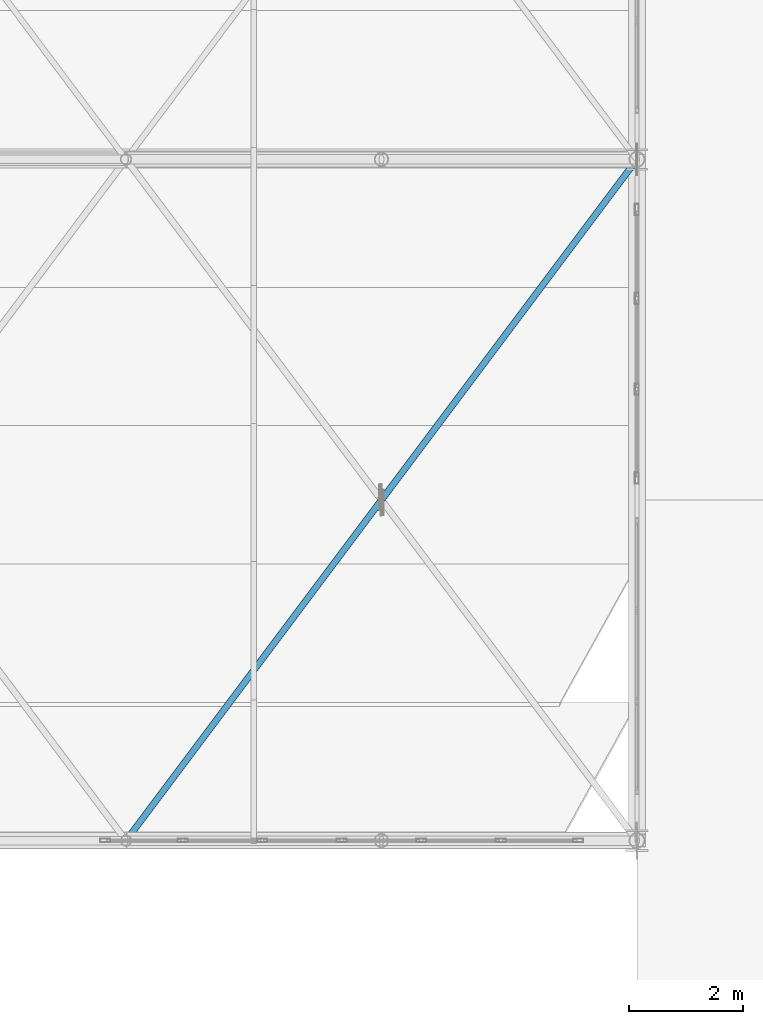
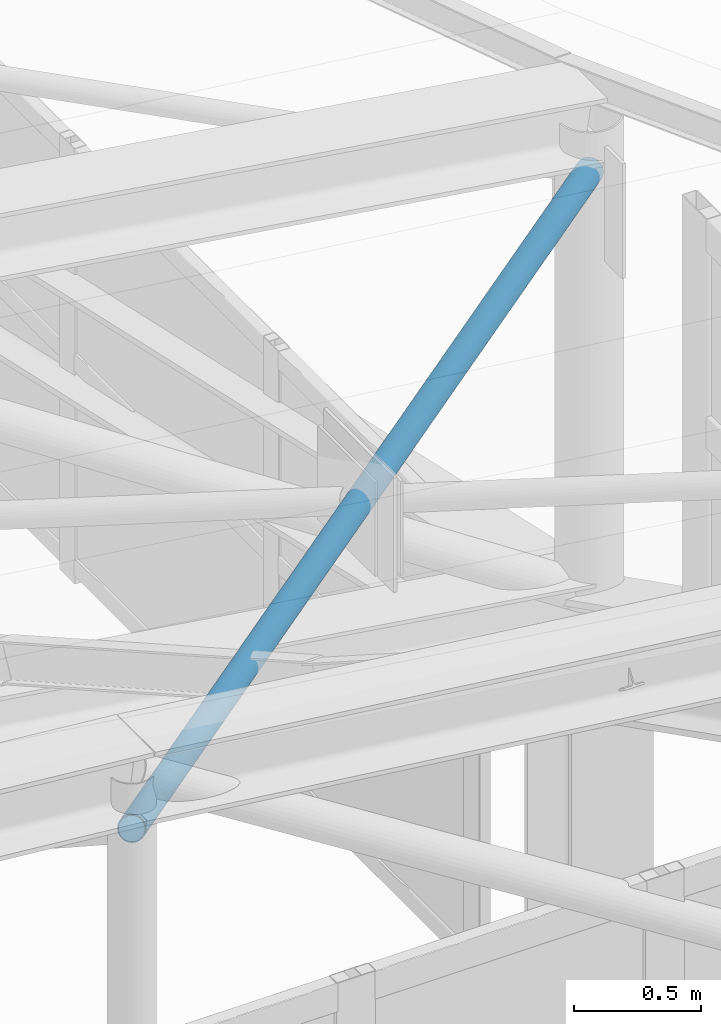
# One storey, part 72 of 262: 1 member.
"""IFC4 building model written with IfcOpenShell, lengths in metres."""

from ifc_helpers import new_model, si_unit, derived_unit, direction, frame, origin, origin_2d, place, context, subcontext, project, spatial, hollow_circle, extrude, material, material_profile, profile_set, type_object, element, save


model = new_model("IFC4")

# Units and contexts
model_context = context("Model", 3, precision=1e-05, world=origin(), true_north=direction((0.0, 1.0)))
body_context = subcontext(model_context, "Body", "Model", "MODEL_VIEW")
ifc_project = project(units=[si_unit("LENGTHUNIT", "METRE"), si_unit("AREAUNIT", "SQUARE_METRE"), si_unit("VOLUMEUNIT", "CUBIC_METRE"), si_unit("PLANEANGLEUNIT", "RADIAN"), si_unit("MASSUNIT", "GRAM", prefix="KILO"), derived_unit("THERMALTRANSMITTANCEUNIT", [(si_unit("POWERUNIT", "WATT"), 1), (si_unit("LENGTHUNIT", "METRE"), -2), (si_unit("THERMODYNAMICTEMPERATUREUNIT", "KELVIN"), -1)])], contexts=[model_context])

# Site, building, storey
site_placement = place(None, origin())
site = spatial("IfcSite", under=ifc_project, at=site_placement, CompositionType="ELEMENT")
building_placement = place(site_placement, origin())
building = spatial("IfcBuilding", under=site, at=building_placement, Name="Almenara Railside Exhibition Hall", CompositionType="ELEMENT")
storey_placement = place(building_placement, frame((0.0, 0.0, 21.699951171875)))
storey = spatial("IfcBuildingStorey", under=building, at=storey_placement, Name="RF", CompositionType="ELEMENT", Elevation=21.699951171875)

# Member
ifc_material = material(Name="Structural steel S355JR", Category="steel")
ifc_material_profile = material_profile(ifc_material, hollow_circle(Radius=0.05712890625, WallThickness=0.00439453125, at=origin_2d()), Name="CHS 114.3x4.5")
ifc_profile_set = profile_set([ifc_material_profile], Name="Structural steel S355JR")
member_type = type_object("IfcMemberType", Name="Roof Wind Plan X-Brace CHS 114.3x4.5 S355JR", PredefinedType="BRACE", material=ifc_profile_set)
member_placement = place(storey_placement, frame((57.0, 48.0, 9.84228515625), z_axis=(0.539771464134, 0.719695285512, -0.436675465898), x_axis=(-0.8, 0.6, 0.0)))
element("IfcMember", 1, at=member_placement, inside=storey, type_object=member_type, Name="MEM-WB-V1-WB-CHS114-00-10-C", PredefinedType="BRACE", context=body_context, shape_type="SweptSolid", body=[
    extrude(hollow_circle(Radius=0.05712890625, WallThickness=0.00439453125, at=origin_2d()), origin(), (0.0, 0.0, 1.0), 16.673828125),
])

save(model, "model.ifc")
